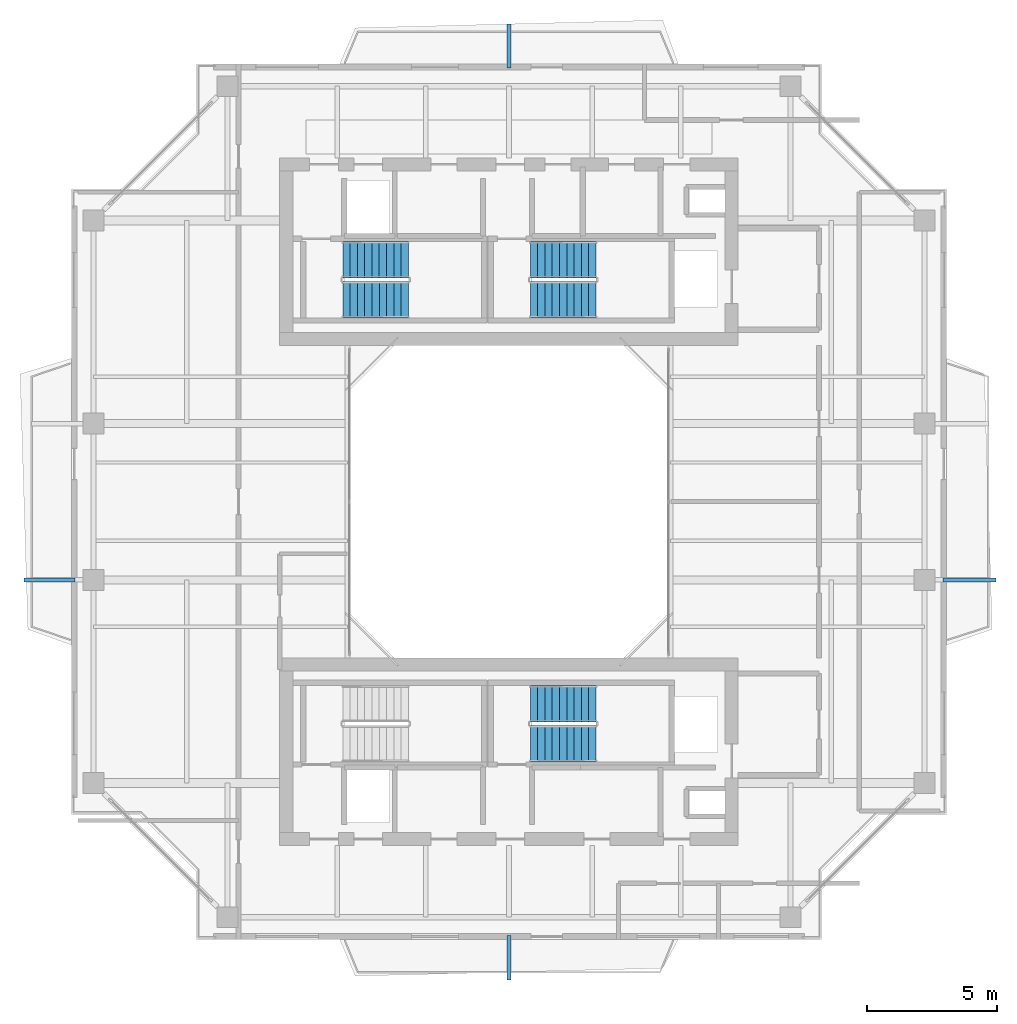
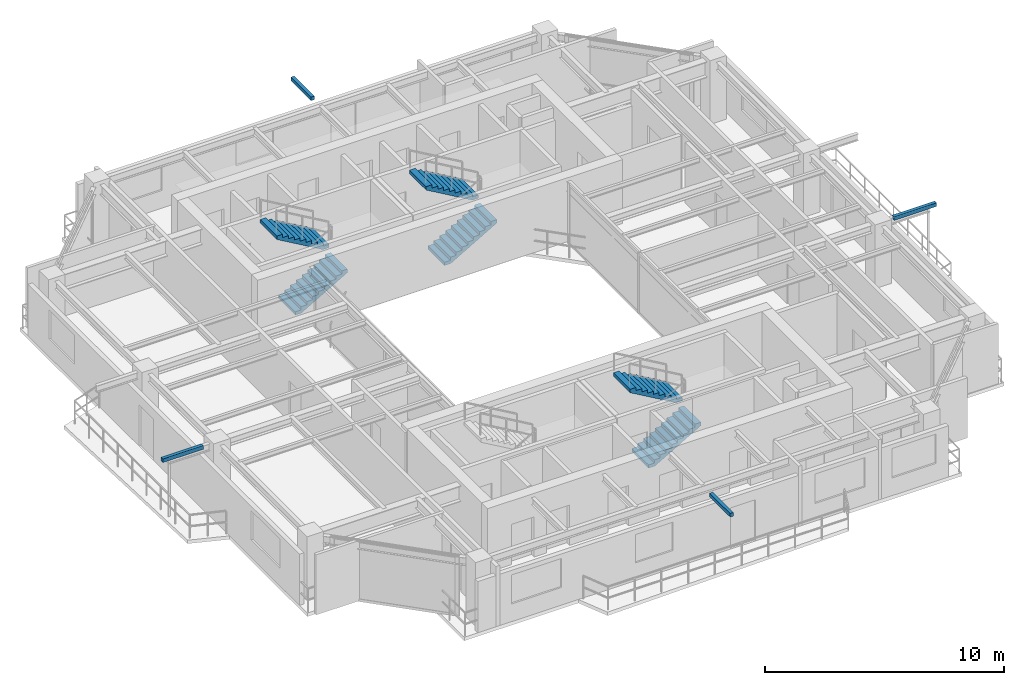
# One storey, part 13 of 15: 6 stair flights, 4 discrete accessories, 3 elements without a shape of their own.
"""IFC4 building model written with IfcOpenShell, lengths in metres."""

from ifc_helpers import new_model, si_unit, direction, frame, origin, origin_2d, place, context, subcontext, project, spatial, polyline, rectangle, outline, extrude, source, transform, mapped, material, type_object, element, aggregate, save


model = new_model("IFC4")

# Units and contexts
model_context = context("Model", 3, precision=1e-05, world=origin(), true_north=direction((0.0, 1.0)))
body_context = subcontext(model_context, "Body", "Model", "MODEL_VIEW")
ifc_project = project(units=[si_unit("LENGTHUNIT", "METRE"), si_unit("AREAUNIT", "SQUARE_METRE"), si_unit("VOLUMEUNIT", "CUBIC_METRE"), si_unit("PLANEANGLEUNIT", "RADIAN"), si_unit("MASSUNIT", "GRAM", prefix="KILO"), si_unit("THERMODYNAMICTEMPERATUREUNIT", "KELVIN"), si_unit("POWERUNIT", "WATT")], contexts=[model_context])

# Site, building, storey
site_placement = place(None, origin())
site = spatial("IfcSite", under=ifc_project, at=site_placement, CompositionType="ELEMENT")
building_placement = place(site_placement, origin())
building = spatial("IfcBuilding", under=site, at=building_placement, Name="Qiaomeng Ring Towers", CompositionType="ELEMENT")
storey_placement = place(building_placement, frame((0.0, 0.0, 226.25)))
storey = spatial("IfcBuildingStorey", under=building, at=storey_placement, Name="L66", CompositionType="ELEMENT", Elevation=226.25)

# Stair, stair flights
ifc_material_1 = material(Name="Precast concrete C40", Category="concrete")
stair_type = type_object("IfcStairType", Name="ARC-ST-325", PredefinedType="HALF_TURN_STAIR", material=ifc_material_1)
stair_1_placement = place(storey_placement, origin())
stair_1 = element("IfcStair", 1, at=stair_1_placement, inside=storey, type_object=stair_type, Name="L66 Tower 1 North Stair 1", PredefinedType="HALF_TURN_STAIR")
stair_flight_type = type_object("IfcStairFlightType", Name="ARC-ST-325-FL", PredefinedType="STRAIGHT", material=ifc_material_1)
shared_shape_1 = source(origin(), body_context, "Body", "SweptSolid", [
    extrude(outline(polyline([(0.0, 0.0), (0.0, 0.16259765625), (0.280029296875, 0.16259765625), (0.280029296875, 0.324951171875), (0.56005859375, 0.324951171875), (0.56005859375, 0.487548828125), (0.840087890625, 0.487548828125), (0.840087890625, 0.64990234375), (1.1201171875, 0.64990234375), (1.1201171875, 0.8125), (1.39990234375, 0.8125), (1.39990234375, 0.97509765625), (1.679931640625, 0.97509765625), (1.679931640625, 1.137451171875), (1.9599609375, 1.137451171875), (1.9599609375, 1.300048828125), (2.239990234375, 1.300048828125), (2.239990234375, 1.46240234375), (2.52001953125, 1.46240234375), (2.52001953125, 1.625), (2.52001953125, 1.2890625), (0.298583984375, 0.0), (0.0, 0.0)])), frame((0.0, 0.699951171875, 0.0), z_axis=(0.0, -1.0, 0.0), x_axis=(1.0, 0.0, 0.0)), (0.0, 0.0, 1.0), 1.39990234375),
])
stair_flight_1_placement = place(storey_placement, frame((12.6201171875, 30.75, 0.0), z_axis=(0.0, 0.0, 1.0), x_axis=(1.0, 0.0, 0.0)))
stair_flight_1 = element("IfcStairFlight", 2, at=stair_flight_1_placement, type_object=stair_flight_type, Name="ST1 flight 1", NumberOfRisers=10, NumberOfTreads=9, PredefinedType="STRAIGHT", RiserHeight=0.1625, TreadLength=0.28, context=body_context, shape_type="MappedRepresentation", body=[
    mapped(shared_shape_1, transform((0.0, 0.0, 0.0), x_axis=(1.0, 0.0, 0.0), y_axis=(0.0, 1.0, 0.0), z_axis=(0.0, 0.0, 1.0), scale=1.0)),
])
stair_flight_2_placement = place(storey_placement, frame((15.139892578125, 32.2900390625, 1.625), z_axis=(0.0, 0.0, 1.0), x_axis=(-1.0, 0.0, 0.0)))
stair_flight_2 = element("IfcStairFlight", 3, at=stair_flight_2_placement, type_object=stair_flight_type, Name="ST1 flight 2", NumberOfRisers=10, NumberOfTreads=9, PredefinedType="STRAIGHT", RiserHeight=0.1625, TreadLength=0.28, context=body_context, shape_type="MappedRepresentation", body=[
    mapped(shared_shape_1, transform((0.0, 0.0, 0.0), x_axis=(1.0, 0.0, 0.0), y_axis=(0.0, 1.0, 0.0), z_axis=(0.0, 0.0, 1.0), scale=1.0)),
])
aggregate(stair_1, [stair_flight_1, stair_flight_2])

stair_2_placement = place(storey_placement, origin())
stair_2 = element("IfcStair", 4, at=stair_2_placement, inside=storey, type_object=stair_type, Name="L66 Tower 1 North Stair 2", PredefinedType="HALF_TURN_STAIR")
stair_flight_3_placement = place(storey_placement, frame((19.820068359375, 30.75, 0.0), z_axis=(0.0, 0.0, 1.0), x_axis=(1.0, 0.0, 0.0)))
stair_flight_3 = element("IfcStairFlight", 5, at=stair_flight_3_placement, type_object=stair_flight_type, Name="ST2 flight 1", NumberOfRisers=10, NumberOfTreads=9, PredefinedType="STRAIGHT", RiserHeight=0.1625, TreadLength=0.28, context=body_context, shape_type="MappedRepresentation", body=[
    mapped(shared_shape_1, transform((0.0, 0.0, 0.0), x_axis=(1.0, 0.0, 0.0), y_axis=(0.0, 1.0, 0.0), z_axis=(0.0, 0.0, 1.0), scale=1.0)),
])
stair_flight_4_placement = place(storey_placement, frame((22.340087890625, 32.2900390625, 1.625), z_axis=(0.0, 0.0, 1.0), x_axis=(-1.0, 0.0, 0.0)))
stair_flight_4 = element("IfcStairFlight", 6, at=stair_flight_4_placement, type_object=stair_flight_type, Name="ST2 flight 2", NumberOfRisers=10, NumberOfTreads=9, PredefinedType="STRAIGHT", RiserHeight=0.1625, TreadLength=0.28, context=body_context, shape_type="MappedRepresentation", body=[
    mapped(shared_shape_1, transform((0.0, 0.0, 0.0), x_axis=(1.0, 0.0, 0.0), y_axis=(0.0, 1.0, 0.0), z_axis=(0.0, 0.0, 1.0), scale=1.0)),
])
aggregate(stair_2, [stair_flight_3, stair_flight_4])

stair_3_placement = place(storey_placement, origin())
stair_3 = element("IfcStair", 7, at=stair_3_placement, inside=storey, type_object=stair_type, Name="L66 Tower 1 South Stair 4", PredefinedType="HALF_TURN_STAIR")
stair_flight_5_placement = place(storey_placement, frame((19.820068359375, 13.7099609375, 0.0), z_axis=(0.0, 0.0, 1.0), x_axis=(1.0, 0.0, 0.0)))
stair_flight_5 = element("IfcStairFlight", 8, at=stair_flight_5_placement, type_object=stair_flight_type, Name="ST4 flight 1", NumberOfRisers=10, NumberOfTreads=9, PredefinedType="STRAIGHT", RiserHeight=0.1625, TreadLength=0.28, context=body_context, shape_type="MappedRepresentation", body=[
    mapped(shared_shape_1, transform((0.0, 0.0, 0.0), x_axis=(1.0, 0.0, 0.0), y_axis=(0.0, 1.0, 0.0), z_axis=(0.0, 0.0, 1.0), scale=1.0)),
])
stair_flight_6_placement = place(storey_placement, frame((22.340087890625, 15.25, 1.625), z_axis=(0.0, 0.0, 1.0), x_axis=(-1.0, 0.0, 0.0)))
stair_flight_6 = element("IfcStairFlight", 9, at=stair_flight_6_placement, type_object=stair_flight_type, Name="ST4 flight 2", NumberOfRisers=10, NumberOfTreads=9, PredefinedType="STRAIGHT", RiserHeight=0.1625, TreadLength=0.28, context=body_context, shape_type="MappedRepresentation", body=[
    mapped(shared_shape_1, transform((0.0, 0.0, 0.0), x_axis=(1.0, 0.0, 0.0), y_axis=(0.0, 1.0, 0.0), z_axis=(0.0, 0.0, 1.0), scale=1.0)),
])
aggregate(stair_3, [stair_flight_5, stair_flight_6])

# Discrete accessories
ifc_material_2 = material(Name="Stainless steel 316", Category="steel")
discrete_accessory_type = type_object("IfcDiscreteAccessoryType", Name="ARC-ACC-BRACKET", PredefinedType="BRACKET", material=ifc_material_2)
shared_shape_2 = source(origin(), body_context, "Body", "SweptSolid", [
    extrude(rectangle(XDim=2.050048828125, YDim=0.159912109375, at=origin_2d()), origin(), (0.0, 0.0, 1.0), 0.179931640625),
])
discrete_accessory_1_placement = place(storey_placement, frame((36.675048828125, 20.0, 2.89990234375), z_axis=(0.0, 0.0, 1.0), x_axis=(1.0, 0.0, 0.0)))
element("IfcDiscreteAccessory", 10, at=discrete_accessory_1_placement, inside=storey, type_object=discrete_accessory_type, Name="L66 Stainless Outer-Skin Tie Bracket E", PredefinedType="BRACKET", context=body_context, shape_type="MappedRepresentation", body=[
    mapped(shared_shape_2, transform((0.0, 0.0, 0.0), x_axis=(1.0, 0.0, 0.0), y_axis=(0.0, 1.0, 0.0), z_axis=(0.0, 0.0, 1.0), scale=1.0)),
])
shared_shape_3 = source(origin(), body_context, "Body", "SweptSolid", [
    extrude(rectangle(XDim=0.159912109375, YDim=1.7099609375, at=origin_2d()), origin(), (0.0, 0.0, 1.0), 0.179931640625),
])
discrete_accessory_2_placement = place(storey_placement, frame((19.0, 5.4951171875, 2.89990234375), z_axis=(0.0, 0.0, 1.0), x_axis=(1.0, 0.0, 0.0)))
element("IfcDiscreteAccessory", 11, at=discrete_accessory_2_placement, inside=storey, type_object=discrete_accessory_type, Name="L66 Stainless Outer-Skin Tie Bracket S", PredefinedType="BRACKET", context=body_context, shape_type="MappedRepresentation", body=[
    mapped(shared_shape_3, transform((0.0, 0.0, 0.0), x_axis=(1.0, 0.0, 0.0), y_axis=(0.0, 1.0, 0.0), z_axis=(0.0, 0.0, 1.0), scale=1.0)),
])
shared_shape_4 = source(origin(), body_context, "Body", "SweptSolid", [
    extrude(rectangle(XDim=0.159912109375, YDim=1.68994140625, at=origin_2d()), origin(), (0.0, 0.0, 1.0), 0.179931640625),
])
discrete_accessory_3_placement = place(storey_placement, frame((19.0, 40.4951171875, 2.89990234375), z_axis=(0.0, 0.0, 1.0), x_axis=(1.0, 0.0, 0.0)))
element("IfcDiscreteAccessory", 12, at=discrete_accessory_3_placement, inside=storey, type_object=discrete_accessory_type, Name="L66 Stainless Outer-Skin Tie Bracket N", PredefinedType="BRACKET", context=body_context, shape_type="MappedRepresentation", body=[
    mapped(shared_shape_4, transform((0.0, 0.0, 0.0), x_axis=(1.0, 0.0, 0.0), y_axis=(0.0, 1.0, 0.0), z_axis=(0.0, 0.0, 1.0), scale=1.0)),
])
shared_shape_5 = source(origin(), body_context, "Body", "SweptSolid", [
    extrude(rectangle(XDim=1.969970703125, YDim=0.159912109375, at=origin_2d()), origin(), (0.0, 0.0, 1.0), 0.179931640625),
])
discrete_accessory_4_placement = place(storey_placement, frame((1.364990234375, 20.0, 2.89990234375), z_axis=(0.0, 0.0, 1.0), x_axis=(1.0, 0.0, 0.0)))
element("IfcDiscreteAccessory", 13, at=discrete_accessory_4_placement, inside=storey, type_object=discrete_accessory_type, Name="L66 Stainless Outer-Skin Tie Bracket W", PredefinedType="BRACKET", context=body_context, shape_type="MappedRepresentation", body=[
    mapped(shared_shape_5, transform((0.0, 0.0, 0.0), x_axis=(1.0, 0.0, 0.0), y_axis=(0.0, 1.0, 0.0), z_axis=(0.0, 0.0, 1.0), scale=1.0)),
])

save(model, "model.ifc")
